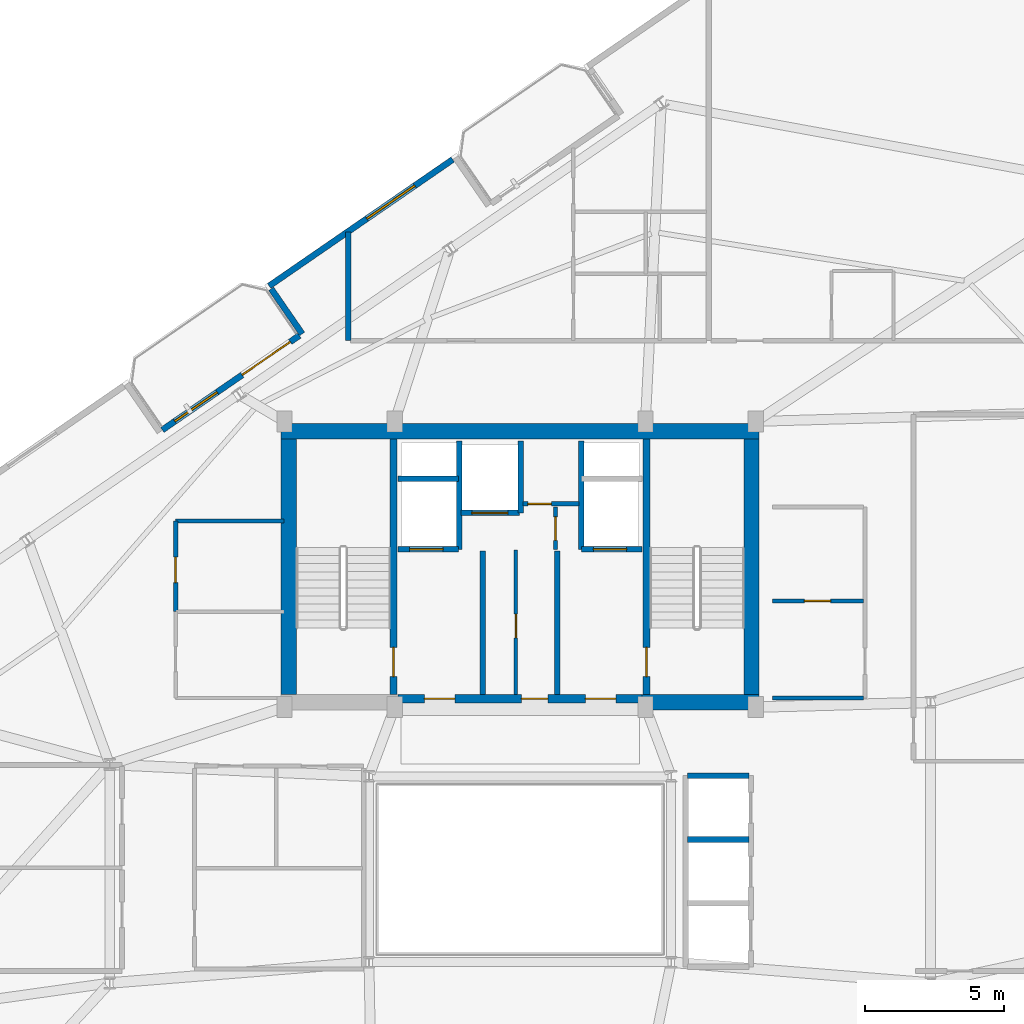
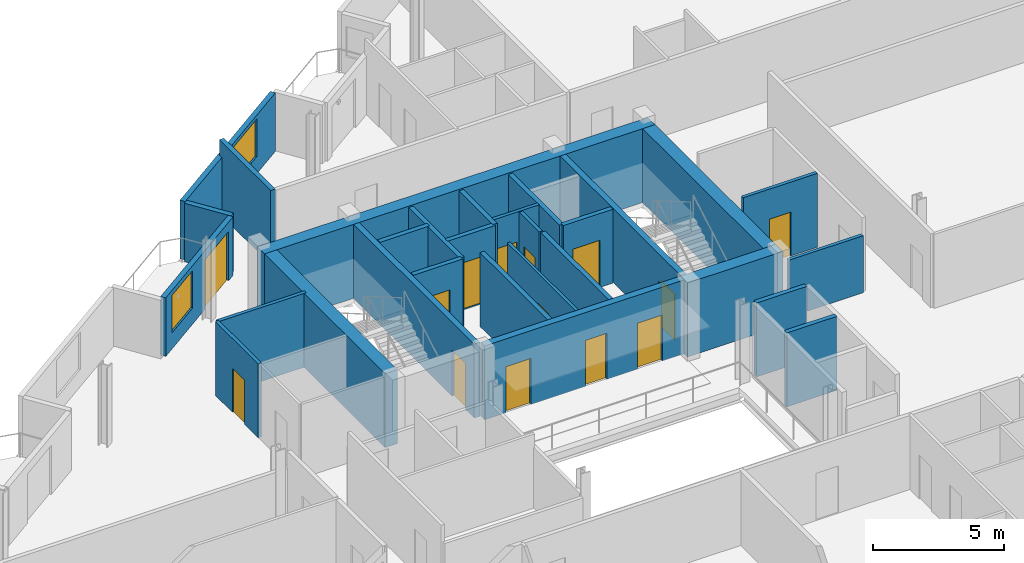
# One storey, part 16 of 21: 29 walls, 14 doors, 2 windows, 16 openings.
"""IFC4 building model written with IfcOpenShell, lengths in metres."""

from ifc_helpers import new_model, si_unit, direction, frame, frame_2d, origin, place, context, subcontext, project, spatial, rectangle, extrude, material, layer, layer_set, type_object, element, fill, save


model = new_model("IFC4")

# Units and contexts
model_context = context("Model", 3, precision=1e-05, world=origin(), true_north=direction((0.0, 1.0)))
body_context = subcontext(model_context, "Body", "Model", "MODEL_VIEW")
ifc_project = project(units=[si_unit("LENGTHUNIT", "METRE"), si_unit("AREAUNIT", "SQUARE_METRE"), si_unit("VOLUMEUNIT", "CUBIC_METRE"), si_unit("PLANEANGLEUNIT", "RADIAN"), si_unit("MASSUNIT", "GRAM", prefix="KILO")], contexts=[model_context])

# Site, building, storey
site_placement = place(None, origin())
site = spatial("IfcSite", under=ifc_project, at=site_placement, CompositionType="ELEMENT")
building_placement = place(site_placement, origin())
building = spatial("IfcBuilding", under=site, at=building_placement, Name="Varnelok Gate Tower", CompositionType="ELEMENT")
storey_placement = place(building_placement, frame((0.0, 0.0, 269.300048828125)))
storey = spatial("IfcBuildingStorey", under=building, at=storey_placement, Name="L69", CompositionType="ELEMENT", Elevation=269.300048828125)

# Wall, openings, door, window
ifc_material_1 = material(Name="Concrete C45/55", Category="concrete")
ifc_layer_1 = layer(ifc_material_1, 0.219970703125)
ifc_layer_set_1 = layer_set([ifc_layer_1], Name="Concrete C45/55")
wall_type_1 = type_object("IfcWallType", Name="EW-BALC-220", PredefinedType="SOLIDWALL", material=ifc_layer_set_1)
wall_1_placement = place(storey_placement, frame((26.29736328125, 38.742919921875, 0.0), z_axis=(0.0, 0.0, 1.0), x_axis=(0.823534636215, 0.567265989598, 0.0)))
wall_1 = element("IfcWall", 1, at=wall_1_placement, inside=storey, type_object=wall_type_1, Name="L69 North Terrace Envelope Wall 5", PredefinedType="SOLIDWALL", context=body_context, shape_type="SweptSolid", body=[
    extrude(rectangle(XDim=6.0, YDim=0.219970703125, at=frame_2d((3.0, 0.0))), origin(), (0.0, 0.0, 1.0), 2.72998046875),
])
opening_1_placement = place(wall_1_placement, frame((3.5, 0.0, 0.0)))
opening_1 = element("IfcOpeningElement", 2, at=opening_1_placement, cuts=wall_1, Name="Opening BD-2", PredefinedType="OPENING", context=body_context, shape_type="SweptSolid", body=[
    extrude(rectangle(XDim=2.10009765625, YDim=2.300048828125, at=frame_2d((1.050048828125, 1.14990234375))), frame((0.0, 0.119873046875, 0.0), z_axis=(0.0, -1.0, 0.0), x_axis=(1.0, 0.0, 0.0)), (0.0, 0.0, 1.0), 0.239990234375),
])
opening_2_placement = place(wall_1_placement, frame((0.550048828125, 0.0, 0.75)))
opening_2 = element("IfcOpeningElement", 3, at=opening_2_placement, cuts=wall_1, Name="Opening WN5", PredefinedType="OPENING", context=body_context, shape_type="SweptSolid", body=[
    extrude(rectangle(XDim=1.85009765625, YDim=1.75, at=frame_2d((0.925048828125, 0.875))), frame((0.0, 0.119873046875, 0.0), z_axis=(0.0, -1.0, 0.0), x_axis=(1.0, 0.0, 0.0)), (0.0, 0.0, 1.0), 0.239990234375),
])
ifc_material_2 = material(Name="Anodized Aluminum Alloy 6063-T6", Category="aluminium")
door_type_1 = type_object("IfcDoorType", Name="DR-EXT-SLID2100", OperationType="SLIDING_TO_LEFT", PredefinedType="DOOR", material=ifc_material_2)
door_1_placement = place(opening_1_placement, origin())
door_1 = element("IfcDoor", 4, at=door_1_placement, inside=storey, type_object=door_type_1, Name="L69 North Balcony Glazed Door 5", OperationType="SLIDING_TO_LEFT", OverallHeight=2.300048828125, OverallWidth=2.10009765625, PredefinedType="DOOR", context=body_context, shape_type="SweptSolid", body=[
    extrude(rectangle(XDim=2.10009765625, YDim=2.300048828125, at=frame_2d((1.050048828125, 1.14990234375))), frame((0.0, 0.02490234375, 0.0), z_axis=(0.0, -1.0, 0.0), x_axis=(1.0, 0.0, 0.0)), (0.0, 0.0, 1.0), 0.050048828125),
])
fill(opening_1, door_1)
ifc_material_3 = material(Name="Low-E Laminated Double Glazing IGU", Category="glass")
window_type_1 = type_object("IfcWindowType", Name="WN-RES-1850", PartitioningType="SINGLE_PANEL", PredefinedType="WINDOW", material=ifc_material_3)
window_1_placement = place(opening_2_placement, origin())
window_1 = element("IfcWindow", 5, at=window_1_placement, inside=storey, type_object=window_type_1, Name="L69 North Vision Window 5.1", OverallHeight=1.75, OverallWidth=1.85009765625, PartitioningType="SINGLE_PANEL", PredefinedType="WINDOW", context=body_context, shape_type="SweptSolid", body=[
    extrude(rectangle(XDim=1.85009765625, YDim=1.75, at=frame_2d((0.925048828125, 0.875))), frame((0.0, 0.030029296875, 0.0), z_axis=(0.0, -1.0, 0.0), x_axis=(1.0, 0.0, 0.0)), (0.0, 0.0, 1.0), 0.06005859375),
])
fill(opening_2, window_1)

# Wall, opening, window
wall_2_placement = place(storey_placement, frame((36.768798828125, 48.493896484375, 0.0), z_axis=(0.0, 0.0, 1.0), x_axis=(-0.823521165086, -0.56728554596, 0.0)))
wall_2 = element("IfcWall", 6, at=wall_2_placement, inside=storey, type_object=wall_type_1, Name="L69 Perimeter Facade Closure Wall 32", PredefinedType="SOLIDWALL", context=body_context, shape_type="SweptSolid", body=[
    extrude(rectangle(XDim=8.034912109375, YDim=0.219970703125, at=frame_2d((4.017578125, 0.0))), origin(), (0.0, 0.0, 1.0), 2.72998046875),
])
opening_3_placement = place(wall_2_placement, frame((1.661865234375, 0.0, 0.800048828125)))
opening_3 = element("IfcOpeningElement", 7, at=opening_3_placement, cuts=wall_2, Name="Opening WN4", PredefinedType="OPENING", context=body_context, shape_type="SweptSolid", body=[
    extrude(rectangle(XDim=2.10009765625, YDim=1.75, at=frame_2d((1.050048828125, 0.875))), frame((0.0, 0.119873046875, 0.0), z_axis=(0.0, -1.0, 0.0), x_axis=(1.0, 0.0, 0.0)), (0.0, 0.0, 1.0), 0.239990234375),
])
window_type_2 = type_object("IfcWindowType", Name="WN-SUI-2100", PartitioningType="SINGLE_PANEL", PredefinedType="WINDOW", material=ifc_material_3)
window_2_placement = place(opening_3_placement, origin())
window_2 = element("IfcWindow", 8, at=window_2_placement, inside=storey, type_object=window_type_2, Name="L69 Perimeter Vision Window 32", OverallHeight=1.75, OverallWidth=2.10009765625, PartitioningType="SINGLE_PANEL", PredefinedType="WINDOW", context=body_context, shape_type="SweptSolid", body=[
    extrude(rectangle(XDim=2.10009765625, YDim=1.75, at=frame_2d((1.050048828125, 0.875))), frame((0.0, 0.030029296875, 0.0), z_axis=(0.0, -1.0, 0.0), x_axis=(1.0, 0.0, 0.0)), (0.0, 0.0, 1.0), 0.06005859375),
])
fill(opening_3, window_2)

# Wall
wall_3_placement = place(storey_placement, frame((30.22265625, 43.8330078125, 0.0), z_axis=(0.0, 0.0, 1.0), x_axis=(0.567215821234, -0.823569190865, 0.0)))
element("IfcWall", 9, at=wall_3_placement, inside=storey, type_object=wall_type_1, Name="L69 Perimeter Facade Closure Wall 33", PredefinedType="SOLIDWALL", context=body_context, shape_type="SweptSolid", body=[
    extrude(rectangle(XDim=1.97509765625, YDim=0.219970703125, at=frame_2d((0.987548828125, 0.0))), origin(), (0.0, 0.0, 1.0), 2.72998046875),
])

# Wall, opening, door
ifc_material_4 = material(Name="Gypsum Plasterboard Acoustic Partition", Category="gypsum")
ifc_layer_2 = layer(ifc_material_4, 0.125)
ifc_layer_set_2 = layer_set([ifc_layer_2], Name="Gypsum Plasterboard Acoustic Partition")
wall_type_2 = type_object("IfcWallType", Name="PW-PART-125", PredefinedType="PARTITIONING", material=ifc_layer_set_2)
wall_4_placement = place(storey_placement, frame((39.050048828125, 29.199951171875, 0.0), z_axis=(0.0, 0.0, 1.0), x_axis=(0.0, 1.0, 0.0)))
wall_4 = element("IfcWall", 10, at=wall_4_placement, inside=storey, type_object=wall_type_2, Name="Interior Partition", PredefinedType="PARTITIONING", context=body_context, shape_type="SweptSolid", body=[
    extrude(rectangle(XDim=5.219970703125, YDim=0.125, at=frame_2d((2.60986328125, 0.0))), origin(), (0.0, 0.0, 1.0), 3.449951171875),
])
opening_4_placement = place(wall_4_placement, frame((2.050048828125, 0.0, 0.0)))
opening_4 = element("IfcOpeningElement", 11, at=opening_4_placement, cuts=wall_4, Name="Opening D-RS", PredefinedType="OPENING", context=body_context, shape_type="SweptSolid", body=[
    extrude(rectangle(XDim=0.85009765625, YDim=2.050048828125, at=frame_2d((0.425048828125, 1.02490234375))), frame((0.0, 0.072509765625, 0.0), z_axis=(0.0, -1.0, 0.0), x_axis=(1.0, 0.0, 0.0)), (0.0, 0.0, 1.0), 0.14501953125),
])
ifc_material_5 = material(Name="Galvanized Steel Grade S350GD", Category="steel")
door_type_2 = type_object("IfcDoorType", Name="DR-RISER-850", OperationType="NOTDEFINED", PredefinedType="DOOR", material=ifc_material_5)
door_2_placement = place(opening_4_placement, origin())
door_2 = element("IfcDoor", 12, at=door_2_placement, inside=storey, type_object=door_type_2, Name="L69 Housekeeping Linen Door", OperationType="SINGLE_SWING_LEFT", OverallHeight=2.050048828125, OverallWidth=0.85009765625, PredefinedType="DOOR", context=body_context, shape_type="SweptSolid", body=[
    extrude(rectangle(XDim=0.85009765625, YDim=2.050048828125, at=frame_2d((0.425048828125, 1.02490234375))), frame((0.0, 0.02490234375, 0.0), z_axis=(0.0, -1.0, 0.0), x_axis=(1.0, 0.0, 0.0)), (0.0, 0.0, 1.0), 0.050048828125),
])
fill(opening_4, door_2)

ifc_layer_3 = layer(ifc_material_4, 0.14990234375)
ifc_layer_set_3 = layer_set([ifc_layer_3], Name="Gypsum Plasterboard Acoustic Partition")
wall_type_3 = type_object("IfcWallType", Name="PW-PART-150", PredefinedType="PARTITIONING", material=ifc_layer_set_3)
wall_5_placement = place(storey_placement, frame((39.300048828125, 36.080078125, 0.0), z_axis=(0.0, 0.0, 1.0), x_axis=(1.0, 0.0, 0.0)))
wall_5 = element("IfcWall", 13, at=wall_5_placement, inside=storey, type_object=wall_type_3, Name="L69 Electrical Closet South Wall", PredefinedType="PARTITIONING", context=body_context, shape_type="SweptSolid", body=[
    extrude(rectangle(XDim=2.02001953125, YDim=0.14990234375, at=frame_2d((1.010009765625, 0.0))), origin(), (0.0, 0.0, 1.0), 3.449951171875),
])
opening_5_placement = place(wall_5_placement, frame((0.179931640625, 0.0, 0.0)))
opening_5 = element("IfcOpeningElement", 14, at=opening_5_placement, cuts=wall_5, Name="Opening D-RS", PredefinedType="OPENING", context=body_context, shape_type="SweptSolid", body=[
    extrude(rectangle(XDim=0.85009765625, YDim=2.050048828125, at=frame_2d((0.425048828125, 1.02490234375))), frame((0.0, 0.0849609375, 0.0), z_axis=(0.0, -1.0, 0.0), x_axis=(1.0, 0.0, 0.0)), (0.0, 0.0, 1.0), 0.169921875),
])
door_3_placement = place(opening_5_placement, origin())
door_3 = element("IfcDoor", 15, at=door_3_placement, inside=storey, type_object=door_type_2, Name="L69 Electrical Closet Door", OperationType="SINGLE_SWING_RIGHT", OverallHeight=2.050048828125, OverallWidth=0.85009765625, PredefinedType="DOOR", context=body_context, shape_type="SweptSolid", body=[
    extrude(rectangle(XDim=0.85009765625, YDim=2.050048828125, at=frame_2d((0.425048828125, 1.02490234375))), frame((0.0, 0.02490234375, 0.0), z_axis=(0.0, -1.0, 0.0), x_axis=(1.0, 0.0, 0.0)), (0.0, 0.0, 1.0), 0.050048828125),
])
fill(opening_5, door_3)

wall_6_placement = place(storey_placement, frame((40.47998046875, 34.43994140625, 0.0), z_axis=(0.0, 0.0, 1.0), x_axis=(0.0, 1.0, 0.0)))
wall_6 = element("IfcWall", 16, at=wall_6_placement, inside=storey, type_object=wall_type_3, Name="L69 Telecoms Closet West Wall", PredefinedType="PARTITIONING", context=body_context, shape_type="SweptSolid", body=[
    extrude(rectangle(XDim=1.52001953125, YDim=0.14990234375, at=frame_2d((0.760009765625, 0.0))), origin(), (0.0, 0.0, 1.0), 3.449951171875),
])
opening_6_placement = place(wall_6_placement, frame((0.320068359375, 0.0, 0.0)))
opening_6 = element("IfcOpeningElement", 17, at=opening_6_placement, cuts=wall_6, Name="Opening D-RS", PredefinedType="OPENING", context=body_context, shape_type="SweptSolid", body=[
    extrude(rectangle(XDim=0.85009765625, YDim=2.050048828125, at=frame_2d((0.425048828125, 1.02490234375))), frame((0.0, 0.0849609375, 0.0), z_axis=(0.0, -1.0, 0.0), x_axis=(1.0, 0.0, 0.0)), (0.0, 0.0, 1.0), 0.169921875),
])
door_4_placement = place(opening_6_placement, origin())
door_4 = element("IfcDoor", 18, at=door_4_placement, inside=storey, type_object=door_type_2, Name="L69 Telecoms Closet Door", OperationType="SINGLE_SWING_LEFT", OverallHeight=2.050048828125, OverallWidth=0.85009765625, PredefinedType="DOOR", context=body_context, shape_type="SweptSolid", body=[
    extrude(rectangle(XDim=0.85009765625, YDim=2.050048828125, at=frame_2d((0.425048828125, 1.02490234375))), frame((0.0, 0.02490234375, 0.0), z_axis=(0.0, -1.0, 0.0), x_axis=(1.0, 0.0, 0.0)), (0.0, 0.0, 1.0), 0.050048828125),
])
fill(opening_6, door_4)

# Wall
wall_7_placement = place(storey_placement, frame((26.780029296875, 35.4599609375, 0.0), z_axis=(0.0, 0.0, 1.0), x_axis=(1.0, 0.0, 0.0)))
element("IfcWall", 19, at=wall_7_placement, inside=storey, type_object=wall_type_3, Name="Interior Partition", PredefinedType="PARTITIONING", context=body_context, shape_type="SweptSolid", body=[
    extrude(rectangle(XDim=3.89990234375, YDim=0.14990234375, at=frame_2d((1.949951171875, 0.0))), origin(), (0.0, 0.0, 1.0), 3.449951171875),
])

# Wall, opening, door
wall_8_placement = place(storey_placement, frame((26.780029296875, 32.18994140625, 0.0), z_axis=(0.0, 0.0, 1.0), x_axis=(0.0, 1.0, 0.0)))
wall_8 = element("IfcWall", 20, at=wall_8_placement, inside=storey, type_object=wall_type_3, Name="Interior Partition", PredefinedType="PARTITIONING", context=body_context, shape_type="SweptSolid", body=[
    extrude(rectangle(XDim=3.27001953125, YDim=0.14990234375, at=frame_2d((1.635009765625, 0.0))), origin(), (0.0, 0.0, 1.0), 3.449951171875),
])
opening_7_placement = place(wall_8_placement, frame((1.050048828125, 0.0, 0.0)))
opening_7 = element("IfcOpeningElement", 21, at=opening_7_placement, cuts=wall_8, Name="Opening D-I3", PredefinedType="OPENING", context=body_context, shape_type="SweptSolid", body=[
    extrude(rectangle(XDim=0.919921875, YDim=2.050048828125, at=frame_2d((0.4599609375, 1.02490234375))), frame((0.0, 0.0849609375, 0.0), z_axis=(0.0, -1.0, 0.0), x_axis=(1.0, 0.0, 0.0)), (0.0, 0.0, 1.0), 0.169921875),
])
ifc_material_6 = material(Name="Engineered Hardwood Timber", Category="wood")
door_type_3 = type_object("IfcDoorType", Name="DR-INT-920", OperationType="NOTDEFINED", PredefinedType="DOOR", material=ifc_material_6)
door_5_placement = place(opening_7_placement, origin())
door_5 = element("IfcDoor", 22, at=door_5_placement, inside=storey, type_object=door_type_3, Name="L69 Core Pantry Door", OperationType="SINGLE_SWING_RIGHT", OverallHeight=2.050048828125, OverallWidth=0.919921875, PredefinedType="DOOR", context=body_context, shape_type="SweptSolid", body=[
    extrude(rectangle(XDim=0.919921875, YDim=2.050048828125, at=frame_2d((0.4599609375, 1.02490234375))), frame((0.0, 0.02490234375, 0.0), z_axis=(0.0, -1.0, 0.0), x_axis=(1.0, 0.0, 0.0)), (0.0, 0.0, 1.0), 0.050048828125),
])
fill(opening_7, door_5)

wall_9_placement = place(storey_placement, frame((48.300048828125, 32.580078125, 0.0), z_axis=(0.0, 0.0, 1.0), x_axis=(1.0, 0.0, 0.0)))
wall_9 = element("IfcWall", 23, at=wall_9_placement, inside=storey, type_object=wall_type_3, Name="Interior Partition", PredefinedType="PARTITIONING", context=body_context, shape_type="SweptSolid", body=[
    extrude(rectangle(XDim=3.280029296875, YDim=0.14990234375, at=frame_2d((1.64013671875, 0.0))), origin(), (0.0, 0.0, 1.0), 3.449951171875),
])
opening_8_placement = place(wall_9_placement, frame((1.14990234375, 0.0, 0.0)))
opening_8 = element("IfcOpeningElement", 24, at=opening_8_placement, cuts=wall_9, Name="Opening D-I2", PredefinedType="OPENING", context=body_context, shape_type="SweptSolid", body=[
    extrude(rectangle(XDim=0.949951171875, YDim=2.050048828125, at=frame_2d((0.47509765625, 1.02490234375))), frame((0.0, 0.0849609375, 0.0), z_axis=(0.0, -1.0, 0.0), x_axis=(1.0, 0.0, 0.0)), (0.0, 0.0, 1.0), 0.169921875),
])
door_type_4 = type_object("IfcDoorType", Name="DR-INT-950", OperationType="NOTDEFINED", PredefinedType="DOOR", material=ifc_material_6)
door_6_placement = place(opening_8_placement, origin())
door_6 = element("IfcDoor", 25, at=door_6_placement, inside=storey, type_object=door_type_4, Name="L69 Reclaimed Trunk Storage Door", OperationType="SINGLE_SWING_LEFT", OverallHeight=2.050048828125, OverallWidth=0.949951171875, PredefinedType="DOOR", context=body_context, shape_type="SweptSolid", body=[
    extrude(rectangle(XDim=0.949951171875, YDim=2.050048828125, at=frame_2d((0.47509765625, 1.02490234375))), frame((0.0, 0.02490234375, 0.0), z_axis=(0.0, -1.0, 0.0), x_axis=(1.0, 0.0, 0.0)), (0.0, 0.0, 1.0), 0.050048828125),
])
fill(opening_8, door_6)

# Walls
wall_10_placement = place(storey_placement, frame((48.300048828125, 29.080078125, 0.0), z_axis=(0.0, 0.0, 1.0), x_axis=(1.0, 0.0, 0.0)))
element("IfcWall", 26, at=wall_10_placement, inside=storey, type_object=wall_type_3, Name="Interior Partition", PredefinedType="PARTITIONING", context=body_context, shape_type="SweptSolid", body=[
    extrude(rectangle(XDim=3.280029296875, YDim=0.14990234375, at=frame_2d((1.64013671875, 0.0))), origin(), (0.0, 0.0, 1.0), 2.661865234375),
])
ifc_layer_4 = layer(ifc_material_4, 0.205078125)
ifc_layer_set_4 = layer_set([ifc_layer_4], Name="Gypsum Plasterboard Acoustic Partition")
wall_type_4 = type_object("IfcWallType", Name="PW-PARTY-200", PredefinedType="PARTITIONING", material=ifc_layer_set_4)
wall_11_placement = place(storey_placement, frame((33.0, 41.9599609375, 0.0), z_axis=(0.0, 0.0, 1.0), x_axis=(0.0, 1.0, 0.0)))
element("IfcWall", 27, at=wall_11_placement, inside=storey, type_object=wall_type_4, Name="L69 North Party Wall 1", PredefinedType="PARTITIONING", context=body_context, shape_type="SweptSolid", body=[
    extrude(rectangle(XDim=3.91357421875, YDim=0.205078125, at=frame_2d((1.956787109375, 0.0))), origin(), (0.0, 0.0, 1.0), 3.449951171875),
])
ifc_material_7 = material(Name="Concrete C35/45", Category="concrete")
ifc_layer_5 = layer(ifc_material_7, 0.199951171875)
ifc_layer_set_5 = layer_set([ifc_layer_5], Name="Concrete C35/45")
wall_type_5 = type_object("IfcWallType", Name="PW-SHAFT-200", PredefinedType="PARTITIONING", material=ifc_layer_set_5)
for number, where, z_axis, x_axis, name in (
    (28, (37.860107421875, 29.199951171875, 0.0), (0.0, 0.0, 1.0), (0.0, 1.0, 0.0), "L69 West FF Lobby Rated Wall"),
    (29, (40.5400390625, 29.199951171875, 0.0), (0.0, 0.0, 1.0), (0.0, 1.0, 0.0), "L69 East FF Lobby Rated Wall"),
):
    element("IfcWall", number, at=place(storey_placement, frame(where, z_axis=z_axis, x_axis=x_axis)), inside=storey, type_object=wall_type_5, Name=name, PredefinedType="PARTITIONING", context=body_context, shape_type="SweptSolid", body=[
        extrude(rectangle(XDim=5.179931640625, YDim=0.199951171875, at=frame_2d((2.58984375, 0.0))), origin(), (0.0, 0.0, 1.0), 3.449951171875),
    ])

# Wall, opening, door
wall_12_placement = place(storey_placement, frame((34.800048828125, 34.43994140625, 0.0), z_axis=(0.0, 0.0, 1.0), x_axis=(1.0, 0.0, 0.0)))
wall_12 = element("IfcWall", 30, at=wall_12_placement, inside=storey, type_object=wall_type_5, Name="L69 FF1 Shaft Front Wall", PredefinedType="PARTITIONING", context=body_context, shape_type="SweptSolid", body=[
    extrude(rectangle(XDim=2.179931640625, YDim=0.199951171875, at=frame_2d((1.08984375, 0.0))), origin(), (0.0, 0.0, 1.0), 3.449951171875),
])
opening_9_placement = place(wall_12_placement, frame((0.419921875, 0.0, 0.0)))
opening_9 = element("IfcOpeningElement", 31, at=opening_9_placement, cuts=wall_12, Name="Opening LD-FF1", PredefinedType="OPENING", context=body_context, shape_type="SweptSolid", body=[
    extrude(rectangle(XDim=1.199951171875, YDim=2.199951171875, at=frame_2d((0.60009765625, 1.10009765625))), frame((0.0, 0.10986328125, 0.0), z_axis=(0.0, -1.0, 0.0), x_axis=(1.0, 0.0, 0.0)), (0.0, 0.0, 1.0), 0.219970703125),
])
door_type_5 = type_object("IfcDoorType", Name="DR-LIFT-FF1200", OperationType="SLIDING_TO_LEFT", PredefinedType="DOOR", material=ifc_material_5)
door_7_placement = place(opening_9_placement, origin())
door_7 = element("IfcDoor", 32, at=door_7_placement, inside=storey, type_object=door_type_5, Name="L69 Firefighting Lift Landing Door LD-FF1", OperationType="SLIDING_TO_LEFT", OverallHeight=2.199951171875, OverallWidth=1.199951171875, PredefinedType="DOOR", context=body_context, shape_type="SweptSolid", body=[
    extrude(rectangle(XDim=1.199951171875, YDim=2.199951171875, at=frame_2d((0.60009765625, 1.10009765625))), frame((0.0, 0.02490234375, 0.0), z_axis=(0.0, -1.0, 0.0), x_axis=(1.0, 0.0, 0.0)), (0.0, 0.0, 1.0), 0.050048828125),
])
fill(opening_9, door_7)

# Walls
wall_13_placement = place(storey_placement, frame((34.800048828125, 36.97998046875, 0.0), z_axis=(0.0, 0.0, 1.0), x_axis=(1.0, 0.0, 0.0)))
element("IfcWall", 33, at=wall_13_placement, inside=storey, type_object=wall_type_5, Name="L69 FF1 Shaft North Wall", PredefinedType="PARTITIONING", context=body_context, shape_type="SweptSolid", body=[
    extrude(rectangle(XDim=2.179931640625, YDim=0.199951171875, at=frame_2d((1.08984375, 0.0))), origin(), (0.0, 0.0, 1.0), 3.449951171875),
])
wall_14_placement = place(storey_placement, frame((37.0, 34.43994140625, 0.0), z_axis=(0.0, 0.0, 1.0), x_axis=(0.0, 1.0, 0.0)))
element("IfcWall", 34, at=wall_14_placement, inside=storey, type_object=wall_type_5, Name="L69 FF1 Shaft Side Wall", PredefinedType="PARTITIONING", context=body_context, shape_type="SweptSolid", body=[
    extrude(rectangle(XDim=3.900146484375, YDim=0.199951171875, at=frame_2d((1.9501953125, 0.0))), origin(), (0.0, 0.0, 1.0), 3.449951171875),
])

# Wall, opening, door
wall_15_placement = place(storey_placement, frame((41.419921875, 34.43994140625, 0.0), z_axis=(0.0, 0.0, 1.0), x_axis=(1.0, 0.0, 0.0)))
wall_15 = element("IfcWall", 35, at=wall_15_placement, inside=storey, type_object=wall_type_5, Name="L69 FF2 Shaft Front Wall", PredefinedType="PARTITIONING", context=body_context, shape_type="SweptSolid", body=[
    extrude(rectangle(XDim=2.18017578125, YDim=0.199951171875, at=frame_2d((1.090087890625, 0.0))), origin(), (0.0, 0.0, 1.0), 3.449951171875),
])
opening_10_placement = place(wall_15_placement, frame((0.419921875, 0.0, 0.0)))
opening_10 = element("IfcOpeningElement", 36, at=opening_10_placement, cuts=wall_15, Name="Opening LD-FF2", PredefinedType="OPENING", context=body_context, shape_type="SweptSolid", body=[
    extrude(rectangle(XDim=1.199951171875, YDim=2.199951171875, at=frame_2d((0.60009765625, 1.10009765625))), frame((0.0, 0.10986328125, 0.0), z_axis=(0.0, -1.0, 0.0), x_axis=(1.0, 0.0, 0.0)), (0.0, 0.0, 1.0), 0.219970703125),
])
door_8_placement = place(opening_10_placement, origin())
door_8 = element("IfcDoor", 37, at=door_8_placement, inside=storey, type_object=door_type_5, Name="L69 Firefighting Lift Landing Door LD-FF2", OperationType="SLIDING_TO_LEFT", OverallHeight=2.199951171875, OverallWidth=1.199951171875, PredefinedType="DOOR", context=body_context, shape_type="SweptSolid", body=[
    extrude(rectangle(XDim=1.199951171875, YDim=2.199951171875, at=frame_2d((0.60009765625, 1.10009765625))), frame((0.0, 0.02490234375, 0.0), z_axis=(0.0, -1.0, 0.0), x_axis=(1.0, 0.0, 0.0)), (0.0, 0.0, 1.0), 0.050048828125),
])
fill(opening_10, door_8)

# Wall
wall_16_placement = place(storey_placement, frame((41.39990234375, 34.43994140625, 0.0), z_axis=(0.0, 0.0, 1.0), x_axis=(0.0, 1.0, 0.0)))
element("IfcWall", 38, at=wall_16_placement, inside=storey, type_object=wall_type_5, Name="L69 FF2 Shaft Side Wall", PredefinedType="PARTITIONING", context=body_context, shape_type="SweptSolid", body=[
    extrude(rectangle(XDim=3.900146484375, YDim=0.199951171875, at=frame_2d((1.9501953125, 0.0))), origin(), (0.0, 0.0, 1.0), 3.449951171875),
])

# Wall, opening, door
wall_17_placement = place(storey_placement, frame((37.06005859375, 35.75, 0.0), z_axis=(0.0, 0.0, 1.0), x_axis=(1.0, 0.0, 0.0)))
wall_17 = element("IfcWall", 39, at=wall_17_placement, inside=storey, type_object=wall_type_5, Name="L69 SV1 Shaft Front Wall", PredefinedType="PARTITIONING", context=body_context, shape_type="SweptSolid", body=[
    extrude(rectangle(XDim=2.119873046875, YDim=0.199951171875, at=frame_2d((1.06005859375, 0.0))), origin(), (0.0, 0.0, 1.0), 3.449951171875),
])
opening_11_placement = place(wall_17_placement, frame((0.39990234375, 0.0, 0.0)))
opening_11 = element("IfcOpeningElement", 40, at=opening_11_placement, cuts=wall_17, Name="Opening LD-SV1", PredefinedType="OPENING", context=body_context, shape_type="SweptSolid", body=[
    extrude(rectangle(XDim=1.300048828125, YDim=2.199951171875, at=frame_2d((0.64990234375, 1.10009765625))), frame((0.0, 0.10986328125, 0.0), z_axis=(0.0, -1.0, 0.0), x_axis=(1.0, 0.0, 0.0)), (0.0, 0.0, 1.0), 0.219970703125),
])
door_type_6 = type_object("IfcDoorType", Name="DR-LIFT-SV1300", OperationType="SLIDING_TO_LEFT", PredefinedType="DOOR", material=ifc_material_5)
door_9_placement = place(opening_11_placement, origin())
door_9 = element("IfcDoor", 41, at=door_9_placement, inside=storey, type_object=door_type_6, Name="L69 Service Lift Landing Door LD-SV1", OperationType="SLIDING_TO_LEFT", OverallHeight=2.199951171875, OverallWidth=1.300048828125, PredefinedType="DOOR", context=body_context, shape_type="SweptSolid", body=[
    extrude(rectangle(XDim=1.300048828125, YDim=2.199951171875, at=frame_2d((0.64990234375, 1.10009765625))), frame((0.0, 0.02490234375, 0.0), z_axis=(0.0, -1.0, 0.0), x_axis=(1.0, 0.0, 0.0)), (0.0, 0.0, 1.0), 0.050048828125),
])
fill(opening_11, door_9)

# Walls
wall_18_placement = place(storey_placement, frame((39.219970703125, 35.75, 0.0), z_axis=(0.0, 0.0, 1.0), x_axis=(0.0, 1.0, 0.0)))
element("IfcWall", 42, at=wall_18_placement, inside=storey, type_object=wall_type_5, Name="L69 SV1 Shaft East Wall", PredefinedType="PARTITIONING", context=body_context, shape_type="SweptSolid", body=[
    extrude(rectangle(XDim=2.590087890625, YDim=0.199951171875, at=frame_2d((1.294921875, 0.0))), origin(), (0.0, 0.0, 1.0), 3.449951171875),
])
for number, where, z_axis, x_axis, name in (
    (43, (45.239990234375, 23.97509765625, 0.0), (0.0, 0.0, 1.0), (1.0, 0.0, 0.0), "L69 PH2 Divider"),
    (44, (45.239990234375, 26.280029296875, 0.0), (0.0, 0.0, 1.0), (1.0, 0.0, 0.0), "L69 PH Bank North Wall"),
):
    element("IfcWall", number, at=place(storey_placement, frame(where, z_axis=z_axis, x_axis=x_axis)), inside=storey, type_object=wall_type_5, Name=name, PredefinedType="PARTITIONING", context=body_context, shape_type="SweptSolid", body=[
        extrude(rectangle(XDim=2.219970703125, YDim=0.199951171875, at=frame_2d((1.10986328125, 0.0))), origin(), (0.0, 0.0, 1.0), 3.449951171875),
    ])
ifc_material_8 = material(Name="Concrete C60/75", Category="concrete")
ifc_layer_6 = layer(ifc_material_8, 0.550048828125)
ifc_layer_set_6 = layer_set([ifc_layer_6], Name="Concrete C60/75")
wall_type_6 = type_object("IfcWallType", Name="SW-CORE-550", PredefinedType="SHEAR", material=ifc_layer_set_6)
wall_19_placement = place(storey_placement, frame((30.580078125, 38.695068359375, 0.0), z_axis=(0.0, 0.0, 1.0), x_axis=(1.0, 0.0, 0.0)))
element("IfcWall", 45, at=wall_19_placement, inside=storey, type_object=wall_type_6, Name="L69 Rear Core North Shear Wall", PredefinedType="SHEAR", context=body_context, shape_type="SweptSolid", body=[
    extrude(rectangle(XDim=17.239990234375, YDim=0.550048828125, at=frame_2d((8.6201171875, 0.0))), origin(), (0.0, 0.0, 1.0), 3.449951171875),
])
for number, where, z_axis, x_axis, name in (
    (46, (30.85498046875, 29.199951171875, 0.0), (0.0, 0.0, 1.0), (0.0, 1.0, 0.0), "L69 Rear Core West Shear Wall"),
    (47, (47.544921875, 29.199951171875, 0.0), (0.0, 0.0, 1.0), (0.0, 1.0, 0.0), "L69 Rear Core East Shear Wall"),
):
    element("IfcWall", number, at=place(storey_placement, frame(where, z_axis=z_axis, x_axis=x_axis)), inside=storey, type_object=wall_type_6, Name=name, PredefinedType="SHEAR", context=body_context, shape_type="SweptSolid", body=[
        extrude(rectangle(XDim=9.219970703125, YDim=0.550048828125, at=frame_2d((4.60986328125, 0.0))), origin(), (0.0, 0.0, 1.0), 3.449951171875),
    ])
wall_20_placement = place(storey_placement, frame((43.60009765625, 28.925048828125, 0.0), z_axis=(0.0, 0.0, 1.0), x_axis=(1.0, 0.0, 0.0)))
element("IfcWall", 48, at=wall_20_placement, inside=storey, type_object=wall_type_6, Name="L69 Rear Core South-East Shear Wall", PredefinedType="SHEAR", context=body_context, shape_type="SweptSolid", body=[
    extrude(rectangle(XDim=4.219970703125, YDim=0.550048828125, at=frame_2d((2.10986328125, 0.0))), origin(), (0.0, 0.0, 1.0), 3.449951171875),
])

# Wall, opening, door
ifc_layer_7 = layer(ifc_material_8, 0.25)
ifc_layer_set_7 = layer_set([ifc_layer_7], Name="Concrete C60/75")
wall_type_7 = type_object("IfcWallType", Name="SW-SHAFT-250", PredefinedType="SHEAR", material=ifc_layer_set_7)
wall_21_placement = place(storey_placement, frame((34.639892578125, 29.199951171875, 0.0), z_axis=(0.0, 0.0, 1.0), x_axis=(0.0, 1.0, 0.0)))
wall_21 = element("IfcWall", 49, at=wall_21_placement, inside=storey, type_object=wall_type_7, Name="L69 Stair ST-1 East Shear Wall", PredefinedType="SHEAR", context=body_context, shape_type="SweptSolid", body=[
    extrude(rectangle(XDim=9.219970703125, YDim=0.25, at=frame_2d((4.60986328125, 0.0))), origin(), (0.0, 0.0, 1.0), 3.449951171875),
])
opening_12_placement = place(wall_21_placement, frame((0.64990234375, 0.0, 0.0)))
opening_12 = element("IfcOpeningElement", 50, at=opening_12_placement, cuts=wall_21, Name="Opening D-ST", PredefinedType="OPENING", context=body_context, shape_type="SweptSolid", body=[
    extrude(rectangle(XDim=1.050048828125, YDim=2.14990234375, at=frame_2d((0.52490234375, 1.074951171875))), frame((0.0, 0.135009765625, 0.0), z_axis=(0.0, -1.0, 0.0), x_axis=(1.0, 0.0, 0.0)), (0.0, 0.0, 1.0), 0.27001953125),
])
door_type_7 = type_object("IfcDoorType", Name="DR-STAIR-1050", OperationType="NOTDEFINED", PredefinedType="DOOR", material=ifc_material_5)
door_10_placement = place(opening_12_placement, origin())
door_10 = element("IfcDoor", 51, at=door_10_placement, inside=storey, type_object=door_type_7, Name="L69 Exit Stair ST-1 Fire Door", OperationType="SINGLE_SWING_LEFT", OverallHeight=2.14990234375, OverallWidth=1.050048828125, PredefinedType="DOOR", context=body_context, shape_type="SweptSolid", body=[
    extrude(rectangle(XDim=1.050048828125, YDim=2.14990234375, at=frame_2d((0.52490234375, 1.074951171875))), frame((0.0, 0.02490234375, 0.0), z_axis=(0.0, -1.0, 0.0), x_axis=(1.0, 0.0, 0.0)), (0.0, 0.0, 1.0), 0.050048828125),
])
fill(opening_12, door_10)

wall_22_placement = place(storey_placement, frame((43.760009765625, 29.199951171875, 0.0), z_axis=(0.0, 0.0, 1.0), x_axis=(0.0, 1.0, 0.0)))
wall_22 = element("IfcWall", 52, at=wall_22_placement, inside=storey, type_object=wall_type_7, Name="L69 Stair ST-2 West Shear Wall", PredefinedType="SHEAR", context=body_context, shape_type="SweptSolid", body=[
    extrude(rectangle(XDim=9.219970703125, YDim=0.25, at=frame_2d((4.60986328125, 0.0))), origin(), (0.0, 0.0, 1.0), 3.449951171875),
])
opening_13_placement = place(wall_22_placement, frame((0.64990234375, 0.0, 0.0)))
opening_13 = element("IfcOpeningElement", 53, at=opening_13_placement, cuts=wall_22, Name="Opening D-ST", PredefinedType="OPENING", context=body_context, shape_type="SweptSolid", body=[
    extrude(rectangle(XDim=1.050048828125, YDim=2.14990234375, at=frame_2d((0.52490234375, 1.074951171875))), frame((0.0, 0.135009765625, 0.0), z_axis=(0.0, -1.0, 0.0), x_axis=(1.0, 0.0, 0.0)), (0.0, 0.0, 1.0), 0.27001953125),
])
door_11_placement = place(opening_13_placement, origin())
door_11 = element("IfcDoor", 54, at=door_11_placement, inside=storey, type_object=door_type_7, Name="L69 Exit Stair ST-2 Fire Door", OperationType="SINGLE_SWING_RIGHT", OverallHeight=2.14990234375, OverallWidth=1.050048828125, PredefinedType="DOOR", context=body_context, shape_type="SweptSolid", body=[
    extrude(rectangle(XDim=1.050048828125, YDim=2.14990234375, at=frame_2d((0.52490234375, 1.074951171875))), frame((0.0, 0.02490234375, 0.0), z_axis=(0.0, -1.0, 0.0), x_axis=(1.0, 0.0, 0.0)), (0.0, 0.0, 1.0), 0.050048828125),
])
fill(opening_13, door_11)

# Wall, openings, doors
ifc_layer_8 = layer(ifc_material_8, 0.300048828125)
ifc_layer_set_8 = layer_set([ifc_layer_8], Name="Concrete C60/75")
wall_type_8 = type_object("IfcWallType", Name="SW-SHAFT-300", PredefinedType="SHEAR", material=ifc_layer_set_8)
wall_23_placement = place(storey_placement, frame((34.800048828125, 29.050048828125, 0.0), z_axis=(0.0, 0.0, 1.0), x_axis=(1.0, 0.0, 0.0)))
wall_23 = element("IfcWall", 55, at=wall_23_placement, inside=storey, type_object=wall_type_8, Name="L69 Rear Core Central Lobby Shear Wall", PredefinedType="SHEAR", context=body_context, shape_type="SweptSolid", body=[
    extrude(rectangle(XDim=8.800048828125, YDim=0.300048828125, at=frame_2d((4.39990234375, 0.0))), origin(), (0.0, 0.0, 1.0), 3.449951171875),
])
opening_14_placement = place(wall_23_placement, frame((0.949951171875, 0.0, 0.0)))
opening_14 = element("IfcOpeningElement", 56, at=opening_14_placement, cuts=wall_23, Name="Opening D-FF", PredefinedType="OPENING", context=body_context, shape_type="SweptSolid", body=[
    extrude(rectangle(XDim=1.10009765625, YDim=2.14990234375, at=frame_2d((0.550048828125, 1.074951171875))), frame((0.0, 0.159912109375, 0.0), z_axis=(0.0, -1.0, 0.0), x_axis=(1.0, 0.0, 0.0)), (0.0, 0.0, 1.0), 0.320068359375),
])
opening_15_placement = place(wall_23_placement, frame((6.75, 0.0, 0.0)))
opening_15 = element("IfcOpeningElement", 57, at=opening_15_placement, cuts=wall_23, Name="Opening D-FF", PredefinedType="OPENING", context=body_context, shape_type="SweptSolid", body=[
    extrude(rectangle(XDim=1.10009765625, YDim=2.14990234375, at=frame_2d((0.550048828125, 1.074951171875))), frame((0.0, 0.159912109375, 0.0), z_axis=(0.0, -1.0, 0.0), x_axis=(1.0, 0.0, 0.0)), (0.0, 0.0, 1.0), 0.320068359375),
])
opening_16_placement = place(wall_23_placement, frame((4.449951171875, 0.0, 0.0)))
opening_16 = element("IfcOpeningElement", 58, at=opening_16_placement, cuts=wall_23, Name="Opening D-CR", PredefinedType="OPENING", context=body_context, shape_type="SweptSolid", body=[
    extrude(rectangle(XDim=0.949951171875, YDim=2.14990234375, at=frame_2d((0.47509765625, 1.074951171875))), frame((0.0, 0.159912109375, 0.0), z_axis=(0.0, -1.0, 0.0), x_axis=(1.0, 0.0, 0.0)), (0.0, 0.0, 1.0), 0.320068359375),
])
door_type_8 = type_object("IfcDoorType", Name="DR-CORR-950", OperationType="NOTDEFINED", PredefinedType="DOOR", material=ifc_material_5)
door_12_placement = place(opening_16_placement, origin())
door_12 = element("IfcDoor", 59, at=door_12_placement, inside=storey, type_object=door_type_8, Name="L69 Core Service Passage Door", OperationType="SINGLE_SWING_LEFT", OverallHeight=2.14990234375, OverallWidth=0.949951171875, PredefinedType="DOOR", context=body_context, shape_type="SweptSolid", body=[
    extrude(rectangle(XDim=0.949951171875, YDim=2.14990234375, at=frame_2d((0.47509765625, 1.074951171875))), frame((0.0, 0.02490234375, 0.0), z_axis=(0.0, -1.0, 0.0), x_axis=(1.0, 0.0, 0.0)), (0.0, 0.0, 1.0), 0.050048828125),
])
fill(opening_16, door_12)
door_type_9 = type_object("IfcDoorType", Name="DR-FFLOB-1100", OperationType="NOTDEFINED", PredefinedType="DOOR", material=ifc_material_5)
door_13_placement = place(opening_14_placement, origin())
door_13 = element("IfcDoor", 60, at=door_13_placement, inside=storey, type_object=door_type_9, Name="L69 West Firefighting Lobby Fire Door", OperationType="SINGLE_SWING_RIGHT", OverallHeight=2.14990234375, OverallWidth=1.10009765625, PredefinedType="DOOR", context=body_context, shape_type="SweptSolid", body=[
    extrude(rectangle(XDim=1.10009765625, YDim=2.14990234375, at=frame_2d((0.550048828125, 1.074951171875))), frame((0.0, 0.02490234375, 0.0), z_axis=(0.0, -1.0, 0.0), x_axis=(1.0, 0.0, 0.0)), (0.0, 0.0, 1.0), 0.050048828125),
])
fill(opening_14, door_13)
door_14_placement = place(opening_15_placement, origin())
door_14 = element("IfcDoor", 61, at=door_14_placement, inside=storey, type_object=door_type_9, Name="L69 East Firefighting Lobby Fire Door", OperationType="SINGLE_SWING_LEFT", OverallHeight=2.14990234375, OverallWidth=1.10009765625, PredefinedType="DOOR", context=body_context, shape_type="SweptSolid", body=[
    extrude(rectangle(XDim=1.10009765625, YDim=2.14990234375, at=frame_2d((0.550048828125, 1.074951171875))), frame((0.0, 0.02490234375, 0.0), z_axis=(0.0, -1.0, 0.0), x_axis=(1.0, 0.0, 0.0)), (0.0, 0.0, 1.0), 0.050048828125),
])
fill(opening_15, door_14)

save(model, "model.ifc")
